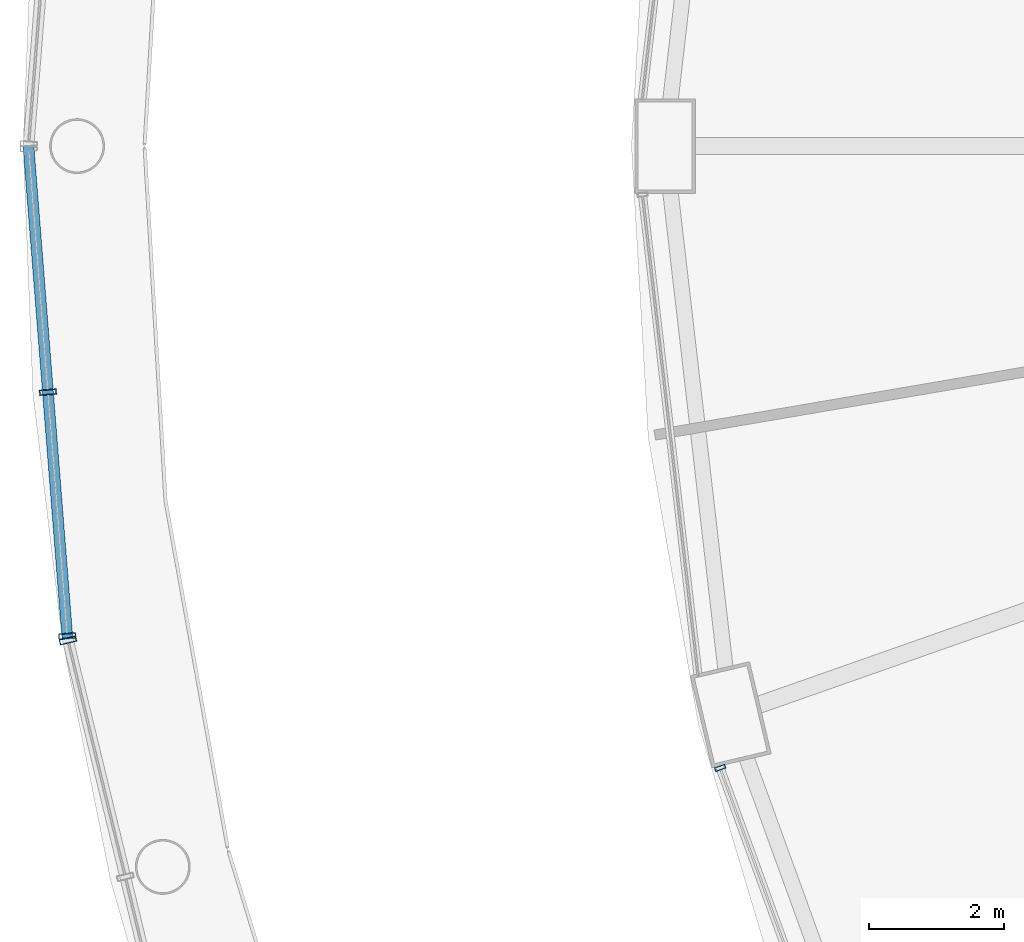
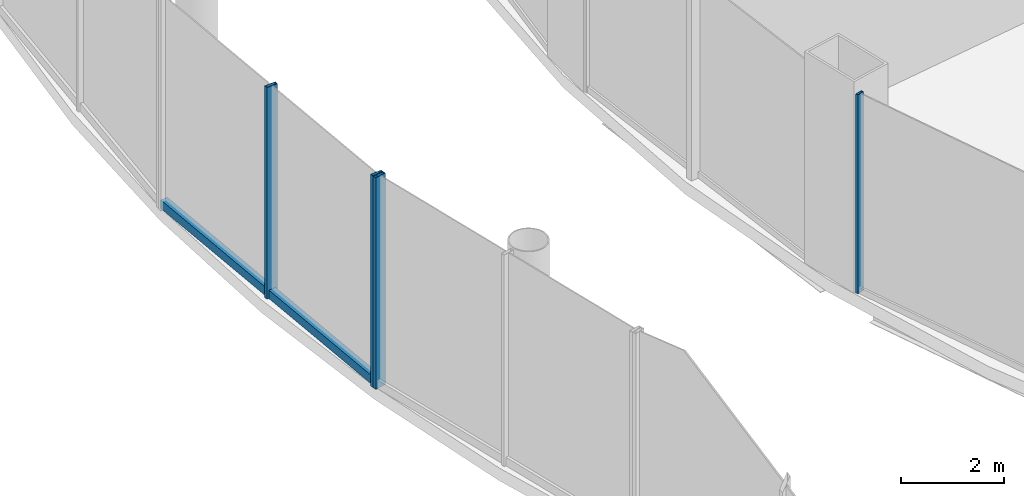
# One storey, part 16 of 47: 5 members, 3 elements without a shape of their own.
"""IFC4 building model written with IfcOpenShell, lengths in metres."""

from ifc_helpers import new_model, si_unit, direction, frame, origin, origin_2d, place, context, subcontext, project, spatial, hollow_rectangle, extrude, material, layer, layer_set, material_profile, profile_set, type_object, element, aggregate, save


model = new_model("IFC4")

# Units and contexts
model_context = context("Model", 3, precision=1e-05, world=origin(), true_north=direction((0.0, 1.0)))
body_context = subcontext(model_context, "Body", "Model", "MODEL_VIEW")
ifc_project = project(units=[si_unit("LENGTHUNIT", "METRE"), si_unit("AREAUNIT", "SQUARE_METRE"), si_unit("VOLUMEUNIT", "CUBIC_METRE"), si_unit("PLANEANGLEUNIT", "RADIAN"), si_unit("MASSUNIT", "GRAM", prefix="KILO")], contexts=[model_context])

# Site, building, storey
site_placement = place(None, origin())
site = spatial("IfcSite", under=ifc_project, at=site_placement, CompositionType="ELEMENT")
building_placement = place(site_placement, origin())
building = spatial("IfcBuilding", under=site, at=building_placement, Name="Nagisa Residences", CompositionType="ELEMENT")
storey_placement = place(building_placement, frame((0.0, 0.0, 17.0)))
storey = spatial("IfcBuildingStorey", under=building, at=storey_placement, Name="L03", CompositionType="ELEMENT", Elevation=17.0)

# Curtain wall, members
ifc_material_1 = material(Name="Stainless steel curtain wall system", Category="steel")
ifc_layer_1 = layer(ifc_material_1, 0.159912109375)
ifc_layer_set_1 = layer_set([ifc_layer_1], Name="CW3 CURTAIN WALL")
curtain_wall_type_1 = type_object("IfcCurtainWallType", Name="CW3 CURTAIN WALL", PredefinedType="NOTDEFINED", material=ifc_layer_set_1)
curtain_wall_1_placement = place(storey_placement, origin())
curtain_wall_1 = element("IfcCurtainWall", 1, at=curtain_wall_1_placement, inside=storey, type_object=curtain_wall_type_1, Name="cw:CW3:L03:18", PredefinedType="NOTDEFINED")
ifc_material_2 = material(Name="Stainless steel", Category="steel")
ifc_material_profile_1 = material_profile(ifc_material_2, hollow_rectangle(XDim=0.25, YDim=0.080078125, WallThickness=0.008056640625, at=origin_2d()), Name="CW3 MULLION 250x80")
ifc_profile_set_1 = profile_set([ifc_material_profile_1], Name="Stainless steel")
member_type_1 = type_object("IfcMemberType", Name="CW3 MULLION 250x80", PredefinedType="MULLION", material=ifc_profile_set_1)
member_1_placement = place(storey_placement, frame((-34.031494140625, -3.640380859375, 0.0), z_axis=(0.0, 0.0, 1.0), x_axis=(0.996881777235, 0.078909582539, 0.0)))
member_1 = element("IfcMember", 2, at=member_1_placement, type_object=member_type_1, Name="CW3 mullion", PredefinedType="MULLION", context=body_context, shape_type="SweptSolid", body=[
    extrude(hollow_rectangle(XDim=0.25, YDim=0.080078125, WallThickness=0.008056640625, at=origin_2d()), origin(), (0.0, 0.0, 1.0), 5.0),
])
member_2_placement = place(storey_placement, frame((-33.74609375, -7.2470703125, 0.0), z_axis=(0.0, 0.0, 1.0), x_axis=(0.996881777235, 0.078909582539, 0.0)))
member_2 = element("IfcMember", 3, at=member_2_placement, type_object=member_type_1, Name="CW3 mullion", PredefinedType="MULLION", context=body_context, shape_type="SweptSolid", body=[
    extrude(hollow_rectangle(XDim=0.25, YDim=0.080078125, WallThickness=0.008056640625, at=origin_2d()), origin(), (0.0, 0.0, 1.0), 5.0),
])

# Curtain wall, member
curtain_wall_2_placement = place(storey_placement, origin())
curtain_wall_2 = element("IfcCurtainWall", 4, at=curtain_wall_2_placement, inside=storey, type_object=curtain_wall_type_1, Name="cw:CW3:L03:19", PredefinedType="NOTDEFINED")
member_3_placement = place(storey_placement, frame((-33.735595703125, -7.313232421875, 0.0), z_axis=(0.0, 0.0, 1.0), x_axis=(0.971848775146, 0.235605514043, 0.0)))
member_3 = element("IfcMember", 5, at=member_3_placement, type_object=member_type_1, Name="CW3 mullion", PredefinedType="MULLION", context=body_context, shape_type="SweptSolid", body=[
    extrude(hollow_rectangle(XDim=0.25, YDim=0.080078125, WallThickness=0.008056640625, at=origin_2d()), origin(), (0.0, 0.0, 1.0), 5.0),
])
aggregate(curtain_wall_2, [member_3])

# Member
ifc_material_3 = material(Name="Stainless steel", Category="steel")
ifc_material_profile_2 = material_profile(ifc_material_3, hollow_rectangle(XDim=0.159912109375, YDim=0.199951171875, WallThickness=0.008056640625, at=origin_2d()), Name="CW3 TRANSOM 160x200")
ifc_profile_set_2 = profile_set([ifc_material_profile_2], Name="Stainless steel")
member_type_2 = type_object("IfcMemberType", Name="CW3 TRANSOM 160x200", PredefinedType="USERDEFINED", material=ifc_profile_set_2)
member_4_placement = place(storey_placement, frame((-34.3203125, 0.00634765625, 0.10009765625), z_axis=(0.078921540002, -0.996880830653, 0.0), x_axis=(0.996880830653, 0.078921540002, 0.0)))
member_4 = element("IfcMember", 6, at=member_4_placement, type_object=member_type_2, Name="CW3 transom", ObjectType="TRANSOM", PredefinedType="USERDEFINED", context=body_context, shape_type="SweptSolid", body=[
    extrude(hollow_rectangle(XDim=0.159912109375, YDim=0.199951171875, WallThickness=0.008056640625, at=origin_2d()), origin(), (0.0, 0.0, 1.0), 7.31591796875),
])

aggregate(curtain_wall_1, [member_1, member_2, member_4])

# Curtain wall, member
ifc_material_4 = material(Name="Stainless steel curtain wall system", Category="steel")
ifc_layer_2 = layer(ifc_material_4, 0.159912109375)
ifc_layer_set_2 = layer_set([ifc_layer_2], Name="CW6 CURTAIN WALL")
curtain_wall_type_2 = type_object("IfcCurtainWallType", Name="CW6 CURTAIN WALL", PredefinedType="NOTDEFINED", material=ifc_layer_set_2)
curtain_wall_3_placement = place(storey_placement, origin())
curtain_wall_3 = element("IfcCurtainWall", 7, at=curtain_wall_3_placement, inside=storey, type_object=curtain_wall_type_2, Name="cw:CW6:L03:26", PredefinedType="NOTDEFINED")
ifc_material_5 = material(Name="Stainless steel", Category="steel")
ifc_material_profile_3 = material_profile(ifc_material_5, hollow_rectangle(XDim=0.159912109375, YDim=0.06005859375, WallThickness=0.006103515625, at=origin_2d()), Name="CW6 MULLION 160x60")
ifc_profile_set_3 = profile_set([ifc_material_profile_3], Name="Stainless steel")
member_type_3 = type_object("IfcMemberType", Name="CW6 MULLION 160x60", PredefinedType="MULLION", material=ifc_profile_set_3)
member_5_placement = place(storey_placement, frame((-24.0869140625, -9.19970703125, 0.0), z_axis=(0.0, 0.0, 1.0), x_axis=(0.939681861718, 0.342049702176, 0.0)))
member_5 = element("IfcMember", 8, at=member_5_placement, type_object=member_type_3, Name="CW6 mullion", PredefinedType="MULLION", context=body_context, shape_type="SweptSolid", body=[
    extrude(hollow_rectangle(XDim=0.159912109375, YDim=0.06005859375, WallThickness=0.006103515625, at=origin_2d()), origin(), (0.0, 0.0, 1.0), 4.699951171875),
])
aggregate(curtain_wall_3, [member_5])

save(model, "model.ifc")
